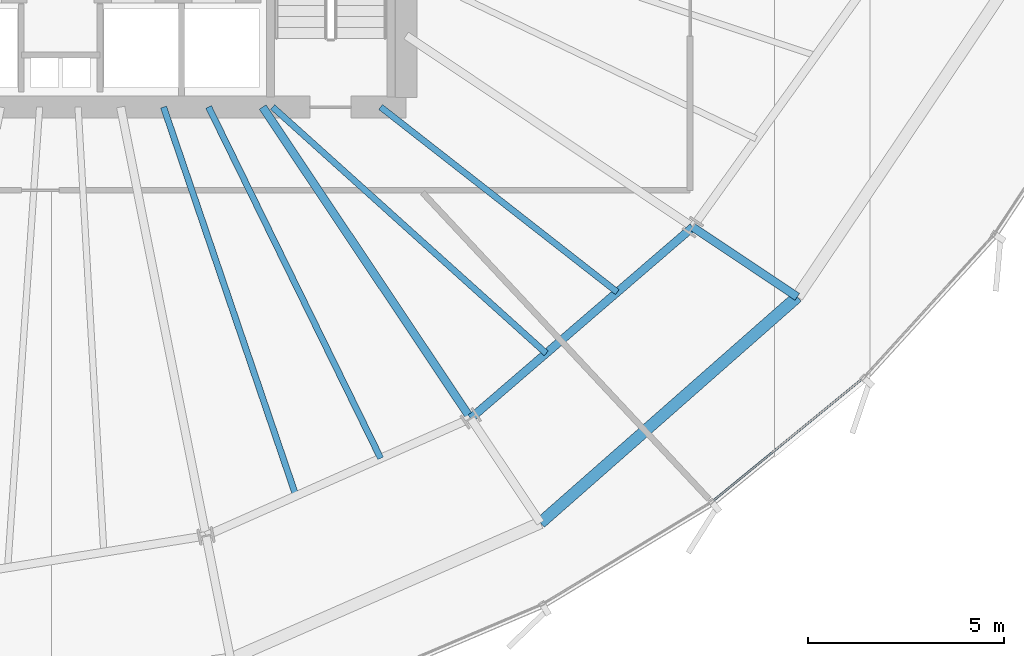
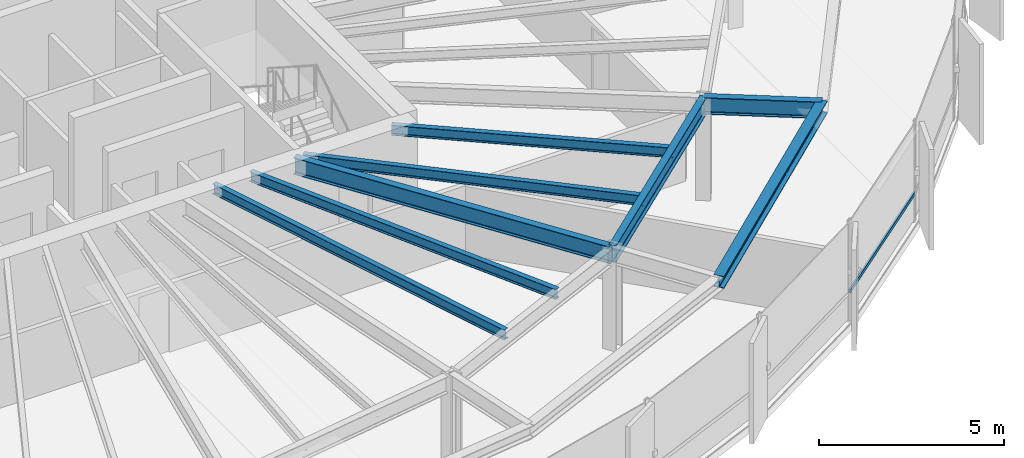
# One storey, part 13 of 33: 8 beams, 1 member, 1 element without a shape of its own.
"""IFC4 building model written with IfcOpenShell, lengths in metres."""

from ifc_helpers import new_model, si_unit, direction, frame, origin, origin_2d, place, context, subcontext, project, spatial, hollow_rectangle, i_section, extrude, source, transform, mapped, material, layer, layer_set, material_profile, profile_set, type_object, element, aggregate, save


model = new_model("IFC4")

# Units and contexts
model_context = context("Model", 3, precision=1e-05, world=origin(), true_north=direction((0.0, 1.0)))
body_context = subcontext(model_context, "Body", "Model", "MODEL_VIEW")
ifc_project = project(units=[si_unit("LENGTHUNIT", "METRE"), si_unit("AREAUNIT", "SQUARE_METRE"), si_unit("VOLUMEUNIT", "CUBIC_METRE"), si_unit("PLANEANGLEUNIT", "RADIAN"), si_unit("MASSUNIT", "GRAM", prefix="KILO"), si_unit("THERMODYNAMICTEMPERATUREUNIT", "KELVIN")], contexts=[model_context])

# Site, building, storey
site_placement = place(None, origin())
site = spatial("IfcSite", under=ifc_project, at=site_placement, CompositionType="ELEMENT")
building_placement = place(site_placement, origin())
building = spatial("IfcBuilding", under=site, at=building_placement, Name="Kethvar Cultural Tower", CompositionType="ELEMENT")
storey_placement = place(building_placement, frame((0.0, 0.0, 110.800048828125)))
storey = spatial("IfcBuildingStorey", under=building, at=storey_placement, Name="L27", CompositionType="ELEMENT", Elevation=110.800048828125)

# Beams
ifc_material_1 = material(Name="Steel S355J2", Category="steel")
ifc_material_profile_1 = material_profile(ifc_material_1, i_section(OverallWidth=0.2099609375, OverallDepth=0.550048828125, WebThickness=0.010986328125, FlangeThickness=0.01708984375, FilletRadius=0.02392578125, at=origin_2d()), Name="Steel S355J2 — IPE550")
ifc_profile_set_1 = profile_set([ifc_material_profile_1], Name="Steel S355J2 — IPE550")
beam_type_1 = type_object("IfcBeamType", Name="BM-IPE550", PredefinedType="BEAM", material=ifc_profile_set_1)
shared_shape_1 = source(origin(), body_context, "Body", "SweptSolid", [
    extrude(i_section(OverallWidth=0.2099609375, OverallDepth=0.550048828125, WebThickness=0.010986328125, FlangeThickness=0.01708984375, FilletRadius=0.02392578125, at=origin_2d()), origin(), (0.0, 0.0, 1.0), 3.199951171875),
])
beam_1_placement = place(storey_placement, frame((62.898681640625, 17.043212890625, 3.072998046875), z_axis=(0.831462943996, -0.555580212716, 0.0), x_axis=(0.555580212716, 0.831462943996, 0.0)))
element("IfcBeam", 1, at=beam_1_placement, inside=storey, type_object=beam_type_1, Name="L27 Perimeter Cantilever Beam RC-15", PredefinedType="BEAM", context=body_context, shape_type="MappedRepresentation", body=[
    mapped(shared_shape_1, transform((0.0, 0.0, 0.0), scale=1.0)),
])
shared_shape_2 = source(origin(), body_context, "Body", "SweptSolid", [
    extrude(i_section(OverallWidth=0.2099609375, OverallDepth=0.550048828125, WebThickness=0.010986328125, FlangeThickness=0.01708984375, FilletRadius=0.02392578125, at=origin_2d()), origin(), (0.0, 0.0, 1.0), 9.534423828125),
])
beam_2_placement = place(storey_placement, frame((51.945068359375, 20.10009765625, 3.072998046875), z_axis=(0.555550817894, -0.831482584747, 0.0), x_axis=(0.831482584747, 0.555550817894, 0.0)))
element("IfcBeam", 2, at=beam_2_placement, inside=storey, type_object=beam_type_1, Name="L27 Primary Radial Beam RB-14", PredefinedType="BEAM", context=body_context, shape_type="MappedRepresentation", body=[
    mapped(shared_shape_2, transform((0.0, 0.0, 0.0), scale=1.0)),
])
ifc_material_profile_2 = material_profile(ifc_material_1, i_section(OverallWidth=0.159912109375, OverallDepth=0.330078125, WebThickness=0.007568359375, FlangeThickness=0.011474609375, FilletRadius=0.01806640625, at=origin_2d()), Name="Steel S355J2 — IPE330")
ifc_profile_set_2 = profile_set([ifc_material_profile_2], Name="Steel S355J2 — IPE330")
beam_type_2 = type_object("IfcBeamType", Name="BM-J330", PredefinedType="JOIST", material=ifc_profile_set_2)
shared_shape_3 = source(origin(), body_context, "Body", "SweptSolid", [
    extrude(i_section(OverallWidth=0.159912109375, OverallDepth=0.330078125, WebThickness=0.007568359375, FlangeThickness=0.011474609375, FilletRadius=0.01806640625, at=origin_2d()), origin(), (0.0, 0.0, 1.0), 10.45947265625),
])
beam_3_placement = place(storey_placement, frame((49.42236328125, 20.10009765625, 3.182861328125), z_axis=(0.322390188368, -0.94660687006, 0.0), x_axis=(0.94660687006, 0.322390188368, 0.0)))
element("IfcBeam", 3, at=beam_3_placement, inside=storey, type_object=beam_type_2, Name="L27 Composite Floor Joist J-13A", PredefinedType="JOIST", context=body_context, shape_type="MappedRepresentation", body=[
    mapped(shared_shape_3, transform((0.0, 0.0, 0.0), scale=1.0)),
])
shared_shape_4 = source(origin(), body_context, "Body", "SweptSolid", [
    extrude(i_section(OverallWidth=0.159912109375, OverallDepth=0.330078125, WebThickness=0.007568359375, FlangeThickness=0.011474609375, FilletRadius=0.01806640625, at=origin_2d()), origin(), (0.0, 0.0, 1.0), 9.959228515625),
])
beam_4_placement = place(storey_placement, frame((50.57080078125, 20.10009765625, 3.182861328125), z_axis=(0.439785134514, -0.898103020516, 0.0), x_axis=(0.898103020516, 0.439785134514, 0.0)))
element("IfcBeam", 4, at=beam_4_placement, inside=storey, type_object=beam_type_2, Name="L27 Composite Floor Joist J-13B", PredefinedType="JOIST", context=body_context, shape_type="MappedRepresentation", body=[
    mapped(shared_shape_4, transform((0.0, 0.0, 0.0), scale=1.0)),
])
shared_shape_5 = source(origin(), body_context, "Body", "SweptSolid", [
    extrude(i_section(OverallWidth=0.2099609375, OverallDepth=0.550048828125, WebThickness=0.010986328125, FlangeThickness=0.01708984375, FilletRadius=0.02392578125, at=origin_2d()), origin(), (0.0, 0.0, 1.0), 7.46484375),
])
beam_5_placement = place(storey_placement, frame((57.241943359375, 12.17236328125, 3.072998046875), z_axis=(0.757784075291, 0.652505398625, 0.0), x_axis=(-0.652505398625, 0.757784075291, 0.0)))
element("IfcBeam", 5, at=beam_5_placement, inside=storey, type_object=beam_type_1, Name="L27 Column Ring Tie Beam CR-14", PredefinedType="BEAM", context=body_context, shape_type="MappedRepresentation", body=[
    mapped(shared_shape_5, transform((0.0, 0.0, 0.0), scale=1.0)),
])
ifc_material_profile_3 = material_profile(ifc_material_1, i_section(OverallWidth=0.300048828125, OverallDepth=0.39990234375, WebThickness=0.013427734375, FlangeThickness=0.02392578125, FilletRadius=0.027099609375, at=origin_2d()), Name="Steel S355J2 — HEB400")
ifc_profile_set_3 = profile_set([ifc_material_profile_3], Name="Steel S355J2 — HEB400")
beam_type_3 = type_object("IfcBeamType", Name="BM-SP400", PredefinedType="SPANDREL", material=ifc_profile_set_3)
shared_shape_6 = source(origin(), body_context, "Body", "SweptSolid", [
    extrude(i_section(OverallWidth=0.300048828125, OverallDepth=0.39990234375, WebThickness=0.013427734375, FlangeThickness=0.02392578125, FilletRadius=0.027099609375, at=origin_2d()), origin(), (0.0, 0.0, 1.0), 8.71044921875),
])
beam_6_placement = place(storey_placement, frame((59.019775390625, 9.51171875, 3.14794921875), z_axis=(0.75077856833, 0.660553965498, 0.0), x_axis=(-0.660553965498, 0.75077856833, 0.0)))
element("IfcBeam", 6, at=beam_6_placement, inside=storey, type_object=beam_type_3, Name="L27 Perimeter Spandrel Beam SP-14", PredefinedType="SPANDREL", context=body_context, shape_type="MappedRepresentation", body=[
    mapped(shared_shape_6, transform((0.0, 0.0, 0.0), scale=1.0)),
])
shared_shape_7 = source(origin(), body_context, "Body", "SweptSolid", [
    extrude(i_section(OverallWidth=0.159912109375, OverallDepth=0.330078125, WebThickness=0.007568359375, FlangeThickness=0.011474609375, FilletRadius=0.01806640625, at=origin_2d()), origin(), (0.0, 0.0, 1.0), 9.372802734375),
])
beam_7_placement = place(storey_placement, frame((52.199951171875, 20.10009765625, 3.182861328125), z_axis=(0.743151656479, -0.669123019685, 0.0), x_axis=(0.669123019685, 0.743151656479, 0.0)))
element("IfcBeam", 7, at=beam_7_placement, inside=storey, type_object=beam_type_2, Name="L27 Composite Floor Joist J-14A", PredefinedType="JOIST", context=body_context, shape_type="MappedRepresentation", body=[
    mapped(shared_shape_7, transform((0.0, 0.0, 0.0), scale=1.0)),
])
shared_shape_8 = source(origin(), body_context, "Body", "SweptSolid", [
    extrude(i_section(OverallWidth=0.159912109375, OverallDepth=0.330078125, WebThickness=0.007568359375, FlangeThickness=0.011474609375, FilletRadius=0.01806640625, at=origin_2d()), origin(), (0.0, 0.0, 1.0), 7.649658203125),
])
beam_8_placement = place(storey_placement, frame((54.949951171875, 20.10009765625, 3.182861328125), z_axis=(0.787671994752, -0.616094821179, 0.0), x_axis=(0.616094821179, 0.787671994752, 0.0)))
element("IfcBeam", 8, at=beam_8_placement, inside=storey, type_object=beam_type_2, Name="L27 Composite Floor Joist J-14B", PredefinedType="JOIST", context=body_context, shape_type="MappedRepresentation", body=[
    mapped(shared_shape_8, transform((0.0, 0.0, 0.0), scale=1.0)),
])

# Curtain wall, member
ifc_material_2 = material(Name="Aluminium 6063-T6", Category="aluminium")
ifc_layer = layer(ifc_material_2, 0.179931640625, Name="Aluminium 6063-T6", Category="aluminium")
ifc_layer_set = layer_set([ifc_layer], Name="Aluminium 6063-T6 (180 mm)")
curtain_wall_type = type_object("IfcCurtainWallType", Name="CW-SYS-03-Z2", PredefinedType="NOTDEFINED", material=ifc_layer_set)
curtain_wall_placement = place(storey_placement, origin())
curtain_wall = element("IfcCurtainWall", 9, at=curtain_wall_placement, inside=storey, type_object=curtain_wall_type, Name="L27 Curtain Wall Run 05", PredefinedType="NOTDEFINED")
ifc_material_profile_4 = material_profile(ifc_material_2, hollow_rectangle(XDim=0.054931640625, YDim=0.1201171875, WallThickness=0.00390625, at=origin_2d()), Name="Aluminium 6063-T6 — RHS120x55x4")
ifc_profile_set_4 = profile_set([ifc_material_profile_4], Name="Aluminium 6063-T6 — RHS120x55x4")
member_type = type_object("IfcMemberType", Name="CW-SYS-03-Z2-TRN", PredefinedType="USERDEFINED", material=ifc_profile_set_4)
shared_shape_9 = source(origin(), body_context, "Body", "SweptSolid", [
    extrude(hollow_rectangle(XDim=0.054931640625, YDim=0.1201171875, WallThickness=0.00390625, at=origin_2d()), origin(), (0.0, 0.0, 1.0), 4.926513671875),
])
member_placement = place(storey_placement, frame((63.41259765625, 10.069580078125, 0.949951171875), z_axis=(0.773966130896, 0.633226995812, 0.0), x_axis=(-0.633226995812, 0.773966130896, 0.0)))
member = element("IfcMember", 10, at=member_placement, type_object=member_type, Name="CW-L27-R05 Transom 5", ObjectType="TRANSOM", PredefinedType="USERDEFINED", context=body_context, shape_type="MappedRepresentation", body=[
    mapped(shared_shape_9, transform((0.0, 0.0, 0.0), scale=1.0)),
])
aggregate(curtain_wall, [member])

save(model, "model.ifc")
